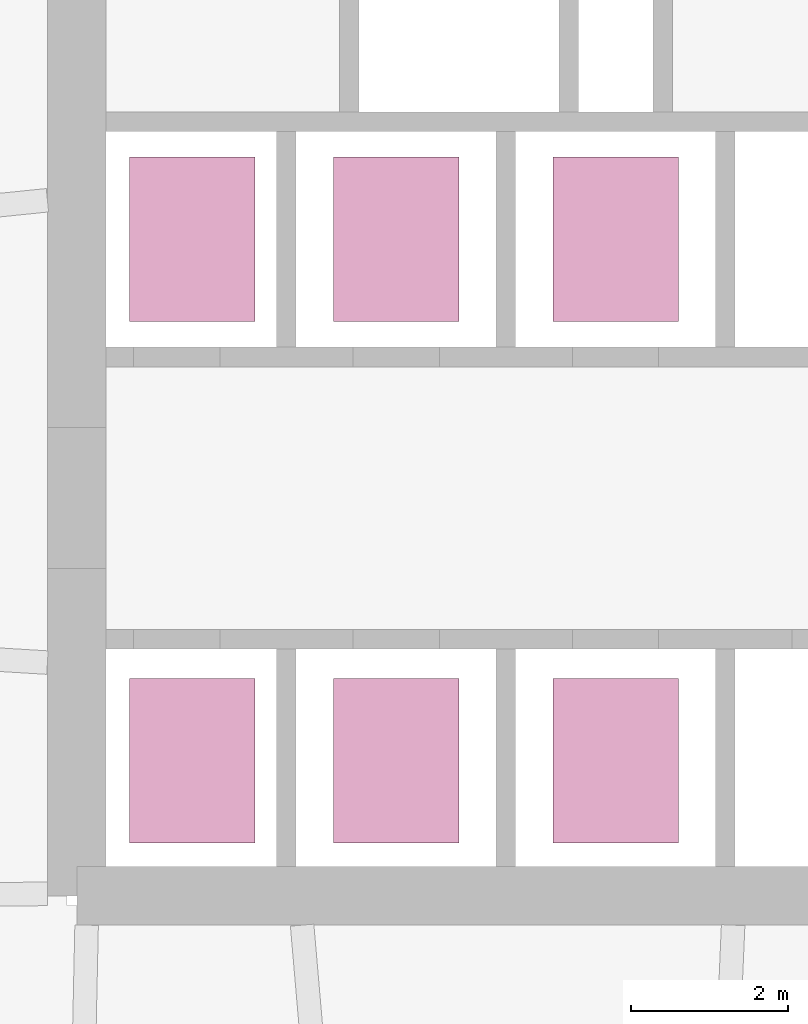
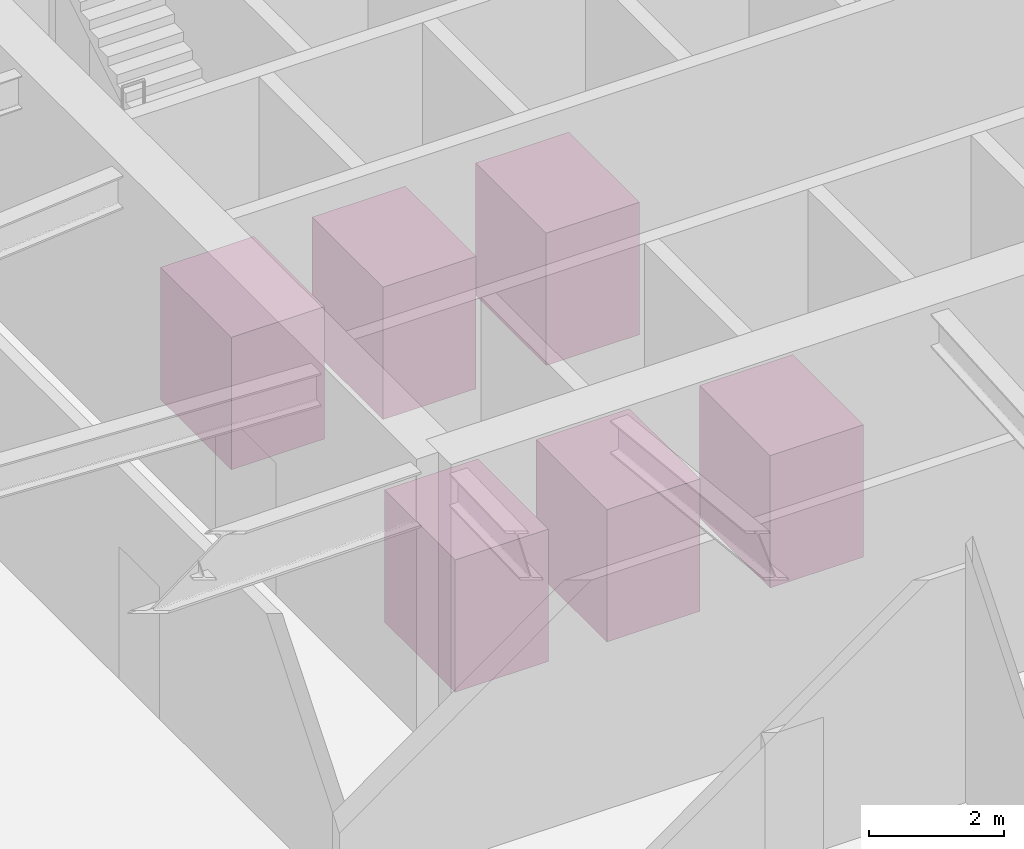
# One storey, part 11 of 11: 6 transport elements.
"""IFC4 building model written with IfcOpenShell, lengths in metres."""

import ifcopenshell
import ifcopenshell.guid

model = None  # the IFC model being written
_history = None  # IfcOwnerHistory: only IFC2X3 demands one
_inside = {}  # id of a spatial element -> (the spatial element, [elements in it])
_under = {}  # id of a project, library or spatial element -> (it, [spatial elements below it])
_declared = {}  # id of a project -> (the project, [libraries it declares])
_typed = {}  # id of a type object -> (the type object, [elements of that type])
_made_of = {}  # id of a material, layer set ... -> (it, [elements and type objects made of it])


def new_model(schema):
    """Start an empty IFC model of exactly this schema.

    Asked for "IFC4X3", IfcOpenShell would pick the latest addendum, in which some entities
    have other attributes; the version numbers below select the first issue.
    IFC2X3 requires an IfcOwnerHistory on every rooted entity: one is made here for all.
    """
    global model, _history
    if schema == "IFC4X3":
        model = ifcopenshell.file(schema_version=(4, 3, 0, 0))
    else:
        model = ifcopenshell.file(schema=schema)
    _inside.clear()
    _under.clear()
    _declared.clear()
    _typed.clear()
    _made_of.clear()
    _history = None
    if model.schema == "IFC2X3":
        org = make("IfcOrganization", Name="unknown")
        user = make(
            "IfcPersonAndOrganization",
            ThePerson=make("IfcPerson", FamilyName="unknown"),
            TheOrganization=org,
        )
        app = make(
            "IfcApplication",
            ApplicationDeveloper=org,
            Version="unknown",
            ApplicationFullName="unknown",
            ApplicationIdentifier="unknown",
        )
        _history = make(
            "IfcOwnerHistory",
            OwningUser=user,
            OwningApplication=app,
            ChangeAction="ADDED",
            CreationDate=0,
        )
    return model


def make(cls, **values):
    """One entity of the class cls with the attributes given. An attribute that is None is left unset."""
    return model.create_entity(
        cls, **{name: value for name, value in values.items() if value is not None}
    )


def rooted(cls, **values):
    """An entity with a GlobalId (a new one), such as an element, a storey or a relation."""
    return make(cls, GlobalId=ifcopenshell.guid.new(), OwnerHistory=_history, **values)


def si_unit(unit_type, name, prefix=None):
    """IfcSIUnit, for example si_unit("LENGTHUNIT", "METRE", prefix="MILLI")."""
    return make("IfcSIUnit", UnitType=unit_type, Prefix=prefix, Name=name)


def assignment(units):
    """IfcUnitAssignment: the units of a project."""
    return None if units is None else make("IfcUnitAssignment", Units=units)


def point(xyz):
    """IfcCartesianPoint."""
    return None if xyz is None else make("IfcCartesianPoint", Coordinates=xyz)


def direction(xyz):
    """IfcDirection."""
    return None if xyz is None else make("IfcDirection", DirectionRatios=xyz)


def frame(location, z_axis=None, x_axis=None):
    """IfcAxis2Placement3D, a coordinate frame: its origin and axes. An axis left out is left unset."""
    return make(
        "IfcAxis2Placement3D",
        Location=point(location),
        Axis=direction(z_axis),
        RefDirection=direction(x_axis),
    )


def frame_2d(location, x_axis=None):
    """IfcAxis2Placement2D, a coordinate frame in the plane: its origin and x axis."""
    return make(
        "IfcAxis2Placement2D", Location=point(location), RefDirection=direction(x_axis)
    )


def origin():
    """The frame at (0, 0, 0) with its axes left unset."""
    return frame((0.0, 0.0, 0.0))


def origin_2d():
    """The frame at (0, 0) in the plane with its x axis left unset."""
    return frame_2d((0.0, 0.0))


def place(relative_to, where):
    """IfcLocalPlacement: puts the frame where relative to a parent placement (None: the world)."""
    return make(
        "IfcLocalPlacement", PlacementRelTo=relative_to, RelativePlacement=where
    )


def context(
    kind, dimensions, precision=None, world=None, true_north=None, identifier=None
):
    """IfcGeometricRepresentationContext, for example the 3D "Model" context."""
    return make(
        "IfcGeometricRepresentationContext",
        ContextIdentifier=identifier,
        ContextType=kind,
        CoordinateSpaceDimension=dimensions,
        Precision=precision,
        WorldCoordinateSystem=world,
        TrueNorth=true_north,
    )


def subcontext(parent, identifier, kind, view, scale=None):
    """IfcGeometricRepresentationSubContext, for example "Body" below "Model"."""
    return make(
        "IfcGeometricRepresentationSubContext",
        ContextIdentifier=identifier,
        ContextType=kind,
        ParentContext=parent,
        TargetScale=scale,
        TargetView=view,
    )


def project(units=None, contexts=None):
    """IfcProject with its units and contexts."""
    return rooted(
        "IfcProject",
        Name="project",
        RepresentationContexts=contexts,
        UnitsInContext=assignment(units),
    )


def spatial(cls, under=None, at=None, **own):
    """A site, building, storey or space (cls), placed at a placement, below another one or the project."""
    s = rooted(cls, ObjectPlacement=at, **own)
    if under is not None:
        _under.setdefault(under.id(), (under, []))[1].append(s)
    return s


def profile(cls, at=None, kind="AREA", **sizes):
    """A parametric profile (cls). Its sizes go by their IFC names, for example OverallWidth=200.0."""
    return make(cls, ProfileType=kind, Position=at, **sizes)


def rectangle(**sizes):
    """IfcRectangleProfileDef."""
    return profile("IfcRectangleProfileDef", **sizes)


def extrude(swept, where, along, depth):
    """IfcExtrudedAreaSolid: the profile swept, set in the frame where, extruded along a direction by depth."""
    return make(
        "IfcExtrudedAreaSolid",
        SweptArea=swept,
        Position=where,
        ExtrudedDirection=direction(along),
        Depth=depth,
    )


def shape(context_of_items, identifier, shape_type, items):
    """IfcShapeRepresentation: the items that make up one representation, for example the "Body"."""
    return make(
        "IfcShapeRepresentation",
        ContextOfItems=context_of_items,
        RepresentationIdentifier=identifier,
        RepresentationType=shape_type,
        Items=items,
    )


def material(Name=None, Category=None):
    """IfcMaterial."""
    return make("IfcMaterial", Name=Name, Category=Category)


def made_of(thing, what):
    """Note that an element or type object is made of a material, layer set ...; save() writes the relation."""
    if what is not None:
        _made_of.setdefault(what.id(), (what, []))[1].append(thing)
    return thing


def type_object(cls, material=None, **own):
    """A type object (cls), such as IfcWallType, which elements share."""
    return made_of(rooted(cls, **own), material)


def element(
    cls,
    number,
    at=None,
    inside=None,
    cuts=None,
    type_object=None,
    material=None,
    context=None,
    identifier="Body",
    shape_type=None,
    held_by="IfcProductDefinitionShape",
    body=None,
    shapes=None,
    **own,
):
    """One element of the class cls, such as IfcWall. Its Tag is "e" and its number.

    at: its placement. inside: the storey or other place that contains it. cuts: it is an
    opening in that element (IfcRelVoidsElement). A single representation is given by context,
    identifier, shape_type and body (its items); several are given by shapes. held_by: the class
    of the entity that holds the representations. save() writes the other relations.
    """
    e = rooted(cls, Tag="e%d" % number, ObjectPlacement=at, **own)
    if body is not None:
        shapes = [shape(context, identifier, shape_type, body)]
    if shapes is not None:
        e.Representation = make(held_by, Representations=shapes)
    if inside is not None:
        _inside.setdefault(inside.id(), (inside, []))[1].append(e)
    if cuts is not None:
        rooted(
            "IfcRelVoidsElement", RelatingBuildingElement=cuts, RelatedOpeningElement=e
        )
    if type_object is not None:
        _typed.setdefault(type_object.id(), (type_object, []))[1].append(e)
    return made_of(e, material)


def aggregate(whole, parts):
    """IfcRelAggregates: a whole, such as a stair, and the parts it consists of."""
    return rooted("IfcRelAggregates", RelatingObject=whole, RelatedObjects=parts)


def save(model, path):
    """Write the relations noted so far, then the file.

    IfcRelAggregates (storeys below a building ...), IfcRelContainedInSpatialStructure (elements
    in a storey), IfcRelDefinesByType, IfcRelAssociatesMaterial and IfcRelDeclares: one each for
    every whole, place, type object, material and project.
    """
    for whole, parts in _under.values():
        aggregate(whole, parts)
    for where, things in _inside.values():
        rooted(
            "IfcRelContainedInSpatialStructure",
            RelatedElements=things,
            RelatingStructure=where,
        )
    for kind, things in _typed.values():
        rooted("IfcRelDefinesByType", RelatedObjects=things, RelatingType=kind)
    for what, things in _made_of.values():
        rooted("IfcRelAssociatesMaterial", RelatedObjects=things, RelatingMaterial=what)
    for by, libraries in _declared.values():
        rooted("IfcRelDeclares", RelatingContext=by, RelatedDefinitions=libraries)
    model.write(path)


model = new_model("IFC4")

# Units and contexts
model_context = context("Model", 3, precision=1e-05, world=origin(), true_north=direction((0.0, 1.0)))
body_context = subcontext(model_context, "Body", "Model", "MODEL_VIEW")
ifc_project = project(units=[si_unit("LENGTHUNIT", "METRE"), si_unit("AREAUNIT", "SQUARE_METRE"), si_unit("VOLUMEUNIT", "CUBIC_METRE"), si_unit("PLANEANGLEUNIT", "RADIAN"), si_unit("MASSUNIT", "GRAM", prefix="KILO")], contexts=[model_context])

# Site, building, storey
site_placement = place(None, origin())
site = spatial("IfcSite", under=ifc_project, at=site_placement, CompositionType="ELEMENT")
building_placement = place(site_placement, origin())
building = spatial("IfcBuilding", under=site, at=building_placement, Name="Isbrekke Arena Tower", CompositionType="ELEMENT")
storey_placement = place(building_placement, frame((0.0, 0.0, 98.0)))
storey = spatial("IfcBuildingStorey", under=building, at=storey_placement, Name="L21", CompositionType="ELEMENT", Elevation=98.0)

# Transport elements
ifc_material = material(Name="Steel lift car", Category="steel")
transport_element_type = type_object("IfcTransportElementType", Name="LB LIFT CAR 1600 x 2100 1600 KG", PredefinedType="ELEVATOR", material=ifc_material)
for number, where, z_axis, x_axis, name in (
    (1, (-12.39990234375, 7.85009765625, 0.0), (0.0, 0.0, 1.0), (1.0, 0.0, 0.0), "LB1 mid-rise passenger lifts"),
    (2, (-9.800048828125, 7.85009765625, 0.0), (0.0, 0.0, 1.0), (1.0, 0.0, 0.0), "LB2 mid-rise passenger lifts"),
    (3, (-7.0, 7.85009765625, 0.0), (0.0, 0.0, 1.0), (1.0, 0.0, 0.0), "LB3 mid-rise passenger lifts"),
    (4, (-12.39990234375, 14.5, 0.0), (0.0, 0.0, 1.0), (1.0, 0.0, 0.0), "LB4 mid-rise passenger lifts"),
    (5, (-9.800048828125, 14.5, 0.0), (0.0, 0.0, 1.0), (1.0, 0.0, 0.0), "LB5 mid-rise passenger lifts"),
    (6, (-7.0, 14.5, 0.0), (0.0, 0.0, 1.0), (1.0, 0.0, 0.0), "LB6 mid-rise passenger lifts"),
):
    element("IfcTransportElement", number, at=place(storey_placement, frame(where, z_axis=z_axis, x_axis=x_axis)), inside=storey, type_object=transport_element_type, Name=name, PredefinedType="ELEVATOR", context=body_context, shape_type="SweptSolid", body=[
        extrude(rectangle(XDim=1.60009765625, YDim=2.10009765625, at=origin_2d()), origin(), (0.0, 0.0, 1.0), 2.39990234375),
    ])

save(model, "model.ifc")
